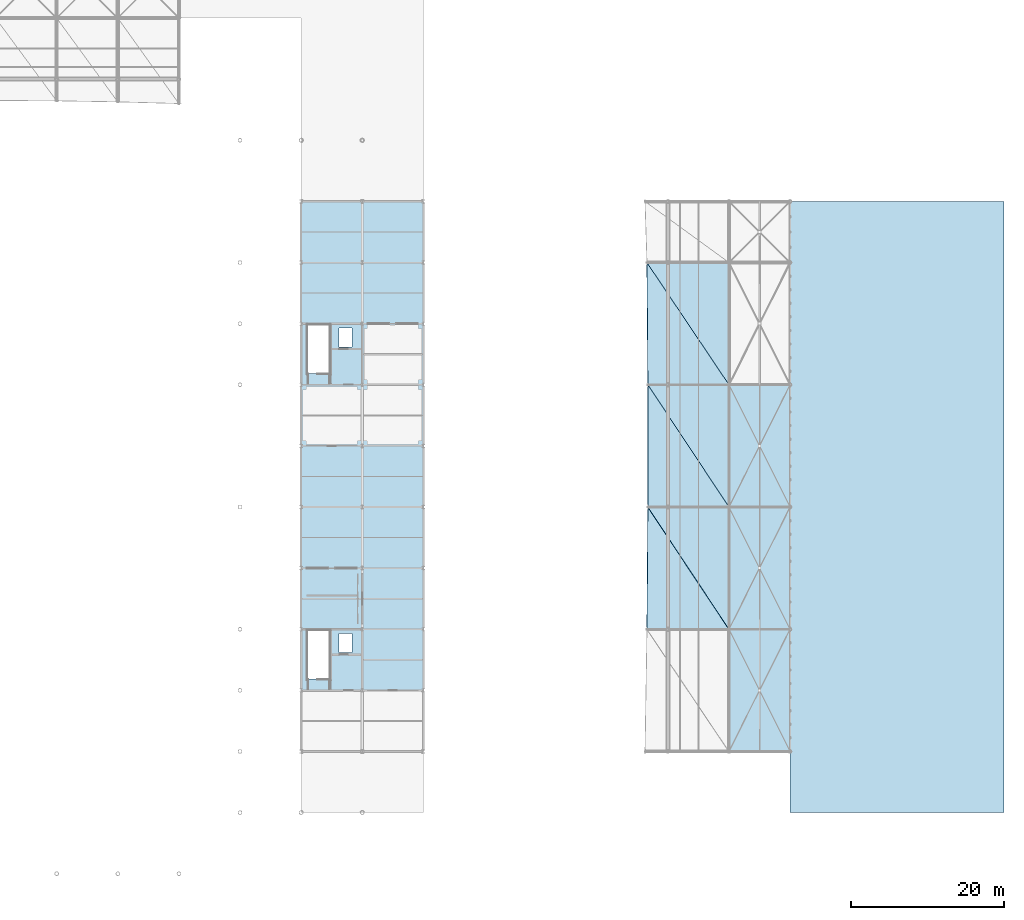
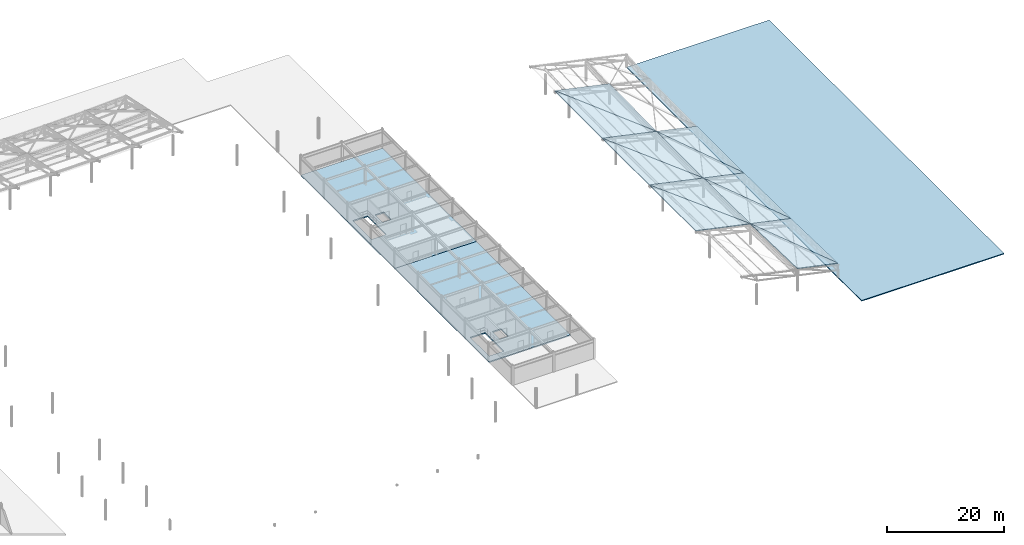
# One storey, part 35 of 54: 15 slabs.
"""IFC4 building model written with IfcOpenShell, lengths in metres."""

import ifcopenshell
import ifcopenshell.guid

model = None  # the IFC model being written
_history = None  # IfcOwnerHistory: only IFC2X3 demands one
_inside = {}  # id of a spatial element -> (the spatial element, [elements in it])
_under = {}  # id of a project, library or spatial element -> (it, [spatial elements below it])
_declared = {}  # id of a project -> (the project, [libraries it declares])
_typed = {}  # id of a type object -> (the type object, [elements of that type])
_made_of = {}  # id of a material, layer set ... -> (it, [elements and type objects made of it])


def new_model(schema):
    """Start an empty IFC model of exactly this schema.

    Asked for "IFC4X3", IfcOpenShell would pick the latest addendum, in which some entities
    have other attributes; the version numbers below select the first issue.
    IFC2X3 requires an IfcOwnerHistory on every rooted entity: one is made here for all.
    """
    global model, _history
    if schema == "IFC4X3":
        model = ifcopenshell.file(schema_version=(4, 3, 0, 0))
    else:
        model = ifcopenshell.file(schema=schema)
    _inside.clear()
    _under.clear()
    _declared.clear()
    _typed.clear()
    _made_of.clear()
    _history = None
    if model.schema == "IFC2X3":
        org = make("IfcOrganization", Name="unknown")
        user = make(
            "IfcPersonAndOrganization",
            ThePerson=make("IfcPerson", FamilyName="unknown"),
            TheOrganization=org,
        )
        app = make(
            "IfcApplication",
            ApplicationDeveloper=org,
            Version="unknown",
            ApplicationFullName="unknown",
            ApplicationIdentifier="unknown",
        )
        _history = make(
            "IfcOwnerHistory",
            OwningUser=user,
            OwningApplication=app,
            ChangeAction="ADDED",
            CreationDate=0,
        )
    return model


def make(cls, **values):
    """One entity of the class cls with the attributes given. An attribute that is None is left unset."""
    return model.create_entity(
        cls, **{name: value for name, value in values.items() if value is not None}
    )


def rooted(cls, **values):
    """An entity with a GlobalId (a new one), such as an element, a storey or a relation."""
    return make(cls, GlobalId=ifcopenshell.guid.new(), OwnerHistory=_history, **values)


def si_unit(unit_type, name, prefix=None):
    """IfcSIUnit, for example si_unit("LENGTHUNIT", "METRE", prefix="MILLI")."""
    return make("IfcSIUnit", UnitType=unit_type, Prefix=prefix, Name=name)


def assignment(units):
    """IfcUnitAssignment: the units of a project."""
    return None if units is None else make("IfcUnitAssignment", Units=units)


def point(xyz):
    """IfcCartesianPoint."""
    return None if xyz is None else make("IfcCartesianPoint", Coordinates=xyz)


def direction(xyz):
    """IfcDirection."""
    return None if xyz is None else make("IfcDirection", DirectionRatios=xyz)


def frame(location, z_axis=None, x_axis=None):
    """IfcAxis2Placement3D, a coordinate frame: its origin and axes. An axis left out is left unset."""
    return make(
        "IfcAxis2Placement3D",
        Location=point(location),
        Axis=direction(z_axis),
        RefDirection=direction(x_axis),
    )


def origin():
    """The frame at (0, 0, 0) with its axes left unset."""
    return frame((0.0, 0.0, 0.0))


def place(relative_to, where):
    """IfcLocalPlacement: puts the frame where relative to a parent placement (None: the world)."""
    return make(
        "IfcLocalPlacement", PlacementRelTo=relative_to, RelativePlacement=where
    )


def context(
    kind, dimensions, precision=None, world=None, true_north=None, identifier=None
):
    """IfcGeometricRepresentationContext, for example the 3D "Model" context."""
    return make(
        "IfcGeometricRepresentationContext",
        ContextIdentifier=identifier,
        ContextType=kind,
        CoordinateSpaceDimension=dimensions,
        Precision=precision,
        WorldCoordinateSystem=world,
        TrueNorth=true_north,
    )


def subcontext(parent, identifier, kind, view, scale=None):
    """IfcGeometricRepresentationSubContext, for example "Body" below "Model"."""
    return make(
        "IfcGeometricRepresentationSubContext",
        ContextIdentifier=identifier,
        ContextType=kind,
        ParentContext=parent,
        TargetScale=scale,
        TargetView=view,
    )


def project(units=None, contexts=None):
    """IfcProject with its units and contexts."""
    return rooted(
        "IfcProject",
        Name="project",
        RepresentationContexts=contexts,
        UnitsInContext=assignment(units),
    )


def spatial(cls, under=None, at=None, **own):
    """A site, building, storey or space (cls), placed at a placement, below another one or the project."""
    s = rooted(cls, ObjectPlacement=at, **own)
    if under is not None:
        _under.setdefault(under.id(), (under, []))[1].append(s)
    return s


def polyline(points):
    """IfcPolyline through the points."""
    return make("IfcPolyline", Points=[point(p) for p in points])


def outline(outer, holes=None, kind="AREA"):
    """IfcArbitraryClosedProfileDef: a profile drawn as a closed curve; with holes, ...WithVoids."""
    if holes is None:
        return make("IfcArbitraryClosedProfileDef", ProfileType=kind, OuterCurve=outer)
    return make(
        "IfcArbitraryProfileDefWithVoids",
        ProfileType=kind,
        OuterCurve=outer,
        InnerCurves=holes,
    )


def extrude(swept, where, along, depth):
    """IfcExtrudedAreaSolid: the profile swept, set in the frame where, extruded along a direction by depth."""
    return make(
        "IfcExtrudedAreaSolid",
        SweptArea=swept,
        Position=where,
        ExtrudedDirection=direction(along),
        Depth=depth,
    )


def shape(context_of_items, identifier, shape_type, items):
    """IfcShapeRepresentation: the items that make up one representation, for example the "Body"."""
    return make(
        "IfcShapeRepresentation",
        ContextOfItems=context_of_items,
        RepresentationIdentifier=identifier,
        RepresentationType=shape_type,
        Items=items,
    )


def material(Name=None, Category=None):
    """IfcMaterial."""
    return make("IfcMaterial", Name=Name, Category=Category)


def layer(
    of_material, thickness, ventilated=None, Name=None, Category=None, Priority=None
):
    """IfcMaterialLayer: one layer of a wall or slab, of a material (None: an air gap)."""
    return make(
        "IfcMaterialLayer",
        Material=of_material,
        LayerThickness=thickness,
        IsVentilated=ventilated,
        Name=Name,
        Category=Category,
        Priority=Priority,
    )


def layer_set(layers, Name=None):
    """IfcMaterialLayerSet."""
    return make("IfcMaterialLayerSet", MaterialLayers=layers, LayerSetName=Name)


def made_of(thing, what):
    """Note that an element or type object is made of a material, layer set ...; save() writes the relation."""
    if what is not None:
        _made_of.setdefault(what.id(), (what, []))[1].append(thing)
    return thing


def type_object(cls, material=None, **own):
    """A type object (cls), such as IfcWallType, which elements share."""
    return made_of(rooted(cls, **own), material)


def element(
    cls,
    number,
    at=None,
    inside=None,
    cuts=None,
    type_object=None,
    material=None,
    context=None,
    identifier="Body",
    shape_type=None,
    held_by="IfcProductDefinitionShape",
    body=None,
    shapes=None,
    **own,
):
    """One element of the class cls, such as IfcWall. Its Tag is "e" and its number.

    at: its placement. inside: the storey or other place that contains it. cuts: it is an
    opening in that element (IfcRelVoidsElement). A single representation is given by context,
    identifier, shape_type and body (its items); several are given by shapes. held_by: the class
    of the entity that holds the representations. save() writes the other relations.
    """
    e = rooted(cls, Tag="e%d" % number, ObjectPlacement=at, **own)
    if body is not None:
        shapes = [shape(context, identifier, shape_type, body)]
    if shapes is not None:
        e.Representation = make(held_by, Representations=shapes)
    if inside is not None:
        _inside.setdefault(inside.id(), (inside, []))[1].append(e)
    if cuts is not None:
        rooted(
            "IfcRelVoidsElement", RelatingBuildingElement=cuts, RelatedOpeningElement=e
        )
    if type_object is not None:
        _typed.setdefault(type_object.id(), (type_object, []))[1].append(e)
    return made_of(e, material)


def aggregate(whole, parts):
    """IfcRelAggregates: a whole, such as a stair, and the parts it consists of."""
    return rooted("IfcRelAggregates", RelatingObject=whole, RelatedObjects=parts)


def save(model, path):
    """Write the relations noted so far, then the file.

    IfcRelAggregates (storeys below a building ...), IfcRelContainedInSpatialStructure (elements
    in a storey), IfcRelDefinesByType, IfcRelAssociatesMaterial and IfcRelDeclares: one each for
    every whole, place, type object, material and project.
    """
    for whole, parts in _under.values():
        aggregate(whole, parts)
    for where, things in _inside.values():
        rooted(
            "IfcRelContainedInSpatialStructure",
            RelatedElements=things,
            RelatingStructure=where,
        )
    for kind, things in _typed.values():
        rooted("IfcRelDefinesByType", RelatedObjects=things, RelatingType=kind)
    for what, things in _made_of.values():
        rooted("IfcRelAssociatesMaterial", RelatedObjects=things, RelatingMaterial=what)
    for by, libraries in _declared.values():
        rooted("IfcRelDeclares", RelatingContext=by, RelatedDefinitions=libraries)
    model.write(path)


model = new_model("IFC4")

# Units and contexts
model_context = context("Model", 3, precision=1e-05, world=origin(), true_north=direction((0.0, 1.0)))
body_context = subcontext(model_context, "Body", "Model", "MODEL_VIEW")
ifc_project = project(units=[si_unit("LENGTHUNIT", "METRE"), si_unit("AREAUNIT", "SQUARE_METRE"), si_unit("VOLUMEUNIT", "CUBIC_METRE"), si_unit("PLANEANGLEUNIT", "RADIAN"), si_unit("MASSUNIT", "GRAM", prefix="KILO")], contexts=[model_context])

# Site, building, storey
site_placement = place(None, origin())
site = spatial("IfcSite", under=ifc_project, at=site_placement, CompositionType="ELEMENT")
building_placement = place(site_placement, origin())
building = spatial("IfcBuilding", under=site, at=building_placement, Name="Haebicheon Civic Stadium", CompositionType="ELEMENT")
storey_placement = place(building_placement, frame((0.0, 0.0, 22.800048828125)))
storey = spatial("IfcBuildingStorey", under=building, at=storey_placement, Name="L06", CompositionType="ELEMENT", Elevation=22.800048828125)

# Slabs
ifc_material_1 = material(Name="White painted steel SM490", Category="steel")
ifc_layer_1 = layer(ifc_material_1, 0.159912109375, Name="White painted steel SM490")
ifc_layer_set_1 = layer_set([ifc_layer_1], Name="White painted steel SM490")
slab_type_1 = type_object("IfcSlabType", Name="SLB-CAN-160", PredefinedType="ROOF", material=ifc_layer_set_1)
slab_1_placement = place(storey_placement, frame((208.0, 56.0, 2.93994140625), z_axis=(0.210123484162, 0.025769579889, 0.977335178), x_axis=(-0.977659849808, 0.0, 0.210193287411)))
element("IfcSlab", 1, at=slab_1_placement, inside=storey, type_object=slab_type_1, material=ifc_layer_set_1, Name="CAN-COMM curled canopy facet 1.BS-A", PredefinedType="ROOF", context=body_context, shape_type="SweptSolid", body=[
    extrude(outline(polyline([(0.0, 0.0), (8.182805094807545, 6.938893903907228e-18), (8.094129801680827, -16.005315217389935), (0.0, 0.0)])), origin(), (0.0, 0.0, -1.0), 0.159912109375),
])
slab_2_placement = place(storey_placement, frame((208.0, 56.0, 2.93994140625), z_axis=(0.210123484162, 0.025769579889, 0.977335178), x_axis=(-0.446040759206, 0.892081518412, 0.072375449118)))
element("IfcSlab", 2, at=slab_2_placement, inside=storey, type_object=slab_type_1, material=ifc_layer_set_1, Name="CAN-COMM curled canopy facet 1.BS-B", PredefinedType="ROOF", context=body_context, shape_type="SweptSolid", body=[
    extrude(outline(polyline([(0.0, 0.0), (17.93558062774862, 1.6653345369377348e-16), (14.242770901992818, -7.3021541718161265), (0.0, 0.0)])), origin(), (0.0, 0.0, -1.0), 0.159912109375),
])
slab_3_placement = place(storey_placement, frame((208.0, 72.0, 2.51806640625), z_axis=(0.210175627466, 0.012962570636, 0.977577709127), x_axis=(-0.977659849808, 0.0, 0.210193287411)))
element("IfcSlab", 3, at=slab_3_placement, inside=storey, type_object=slab_type_1, material=ifc_layer_set_1, Name="CAN-COMM curled canopy facet 2.BS-A", PredefinedType="ROOF", context=body_context, shape_type="SweptSolid", body=[
    extrude(outline(polyline([(0.0, 0.0), (8.182805094807545, 3.469446951953614e-18), (8.138210864641389, -16.001344395324697), (0.0, 0.0)])), origin(), (0.0, 0.0, -1.0), 0.159912109375),
])
slab_4_placement = place(storey_placement, frame((208.0, 72.0, 2.51806640625), z_axis=(0.210175627466, 0.012962570636, 0.977577709127), x_axis=(-0.445633355463, 0.891266710927, 0.083991442973)))
element("IfcSlab", 4, at=slab_4_placement, inside=storey, type_object=slab_type_1, material=ifc_layer_set_1, Name="CAN-COMM curled canopy facet 2.BS-B", PredefinedType="ROOF", context=body_context, shape_type="SweptSolid", body=[
    extrude(outline(polyline([(0.0, 0.0), (17.951977566138954, -6.106226635438361e-16), (14.24244790120587, -7.29367458038743), (0.0, 0.0)])), origin(), (0.0, 0.0, -1.0), 0.159912109375),
])
slab_5_placement = place(storey_placement, frame((200.0, 72.0, 4.238037109375), z_axis=(0.210168271968, 0.012982666106, 0.977579023833), x_axis=(-0.977661419535, 0.0, 0.210185986098)))
element("IfcSlab", 5, at=slab_5_placement, inside=storey, type_object=slab_type_1, material=ifc_layer_set_1, Name="CAN-COMM curled canopy facet 2.CT-A", PredefinedType="ROOF", context=body_context, shape_type="SweptSolid", body=[
    extrude(outline(polyline([(0.0, 0.0), (10.989383716789156, 3.469446951953614e-18), (10.813869212841139, -16.001348567431535), (0.0, 0.0)])), origin(), (0.0, 0.0, -1.0), 0.159912109375),
])
slab_6_placement = place(storey_placement, frame((200.0, 72.0, 4.238037109375), z_axis=(0.210139402183, 0.012962673881, 0.977585495359), x_axis=(-0.549686507874, 0.828467561577, 0.107173888963)))
element("IfcSlab", 6, at=slab_6_placement, inside=storey, type_object=slab_type_1, material=ifc_layer_set_1, Name="CAN-COMM curled canopy facet 2.CT-B", PredefinedType="ROOF", context=body_context, shape_type="SweptSolid", body=[
    extrude(outline(polyline([(0.0, 0.0), (19.312765812510555, 6.106226635438361e-16), (13.23274316552922, -8.996639340236609), (0.0, 0.0)])), origin(), (0.0, 0.0, -1.0), 0.159912109375),
])
slab_7_placement = place(storey_placement, frame((208.0, 88.0, 2.305908203125), z_axis=(0.210193287411, 0.0, 0.977659849808), x_axis=(-0.977659849808, 0.0, 0.210193287411)))
element("IfcSlab", 7, at=slab_7_placement, inside=storey, type_object=slab_type_1, material=ifc_layer_set_1, Name="CAN-COMM curled canopy facet 3.BS-A", PredefinedType="ROOF", context=body_context, shape_type="SweptSolid", body=[
    extrude(outline(polyline([(0.0, 0.0), (8.182805094807545, 0.0), (8.182805094807545, -16.0), (0.0, 0.0)])), origin(), (0.0, 0.0, -1.0), 0.159912109375),
])
slab_8_placement = place(storey_placement, frame((208.0, 88.0, 2.305908203125), z_axis=(0.210193287411, 0.0, 0.977659849808), x_axis=(-0.445160644327, 0.890321288654, 0.095707908303)))
element("IfcSlab", 8, at=slab_8_placement, inside=storey, type_object=slab_type_1, material=ifc_layer_set_1, Name="CAN-COMM curled canopy facet 3.BS-B", PredefinedType="ROOF", context=body_context, shape_type="SweptSolid", body=[
    extrude(outline(polyline([(0.0, 0.0), (17.97104057141957, 5.551115123125783e-17), (14.245140618464365, -7.285325576813756), (0.0, 0.0)])), origin(), (0.0, 0.0, -1.0), 0.159912109375),
])
slab_9_placement = place(storey_placement, frame((200.0, 88.0, 4.02587890625), z_axis=(0.210157059366, 0.0, 0.977667638003), x_axis=(-0.977667638003, 0.0, 0.210157059366)))
element("IfcSlab", 9, at=slab_9_placement, inside=storey, type_object=slab_type_1, material=ifc_layer_set_1, Name="CAN-COMM curled canopy facet 3.CT-A", PredefinedType="ROOF", context=body_context, shape_type="SweptSolid", body=[
    extrude(outline(polyline([(0.0, 0.0), (10.858461898726677, 0.0), (10.858461898726677, -16.0), (0.0, 0.0)])), origin(), (0.0, 0.0, -1.0), 0.159912109375),
])
slab_10_placement = place(storey_placement, frame((200.0, 88.0, 4.02587890625), z_axis=(0.210157059366, 0.0, 0.977667638003), x_axis=(-0.549007429055, 0.827444078617, 0.118013302656)))
element("IfcSlab", 10, at=slab_10_placement, inside=storey, type_object=slab_type_1, material=ifc_layer_set_1, Name="CAN-COMM curled canopy facet 3.CT-B", PredefinedType="ROOF", context=body_context, shape_type="SweptSolid", body=[
    extrude(outline(polyline([(0.0, 0.0), (19.336654178168956, 5.551115123125783e-16), (13.239105257879798, -8.984770000994986), (0.0, 0.0)])), origin(), (0.0, 0.0, -1.0), 0.159912109375),
])
slab_11_placement = place(storey_placement, frame((200.0, 104.0, 4.02587890625), z_axis=(0.210139346788, -0.012982990584, 0.977585237658), x_axis=(-0.977667638003, 0.0, 0.210157059366)))
element("IfcSlab", 11, at=slab_11_placement, inside=storey, type_object=slab_type_1, material=ifc_layer_set_1, Name="CAN-COMM curled canopy facet 4.CT-A", PredefinedType="ROOF", context=body_context, shape_type="SweptSolid", body=[
    extrude(outline(polyline([(0.0, 0.0), (10.858461898726677, 0.0), (11.033970256068105, -16.001348634850835), (0.0, 0.0)])), origin(), (0.0, 0.0, -1.0), 0.159912109375),
])
slab_12_placement = place(storey_placement, frame((200.0, 104.0, 4.02587890625), z_axis=(0.210168326709, -0.012962591446, 0.977579278458), x_axis=(-0.552758759409, 0.823178086592, 0.129752039101)))
element("IfcSlab", 12, at=slab_12_placement, inside=storey, type_object=slab_type_1, material=ifc_layer_set_1, Name="CAN-COMM curled canopy facet 4.CT-B", PredefinedType="ROOF", context=body_context, shape_type="SweptSolid", body=[
    extrude(outline(polyline([(0.0, 0.0), (19.436863372104, -7.771561172376096e-16), (13.198377344940454, -9.0469799692337), (0.0, 0.0)])), origin(), (0.0, 0.0, -1.0), 0.159912109375),
])
ifc_material_2 = material(Name="Concrete C35/45", Category="concrete")
ifc_layer_2 = layer(ifc_material_2, 0.25, Name="Concrete C35/45")
ifc_layer_set_2 = layer_set([ifc_layer_2], Name="Concrete C35/45")
slab_type_2 = type_object("IfcSlabType", Name="SLB-FLR-250", PredefinedType="FLOOR", material=ifc_layer_set_2)
slab_13_placement = place(storey_placement, frame((0.0, 0.0, -0.25)))
element("IfcSlab", 13, at=slab_13_placement, inside=storey, type_object=slab_type_2, material=ifc_layer_set_2, Name="L06 V2 structural slab 2.1", PredefinedType="FLOOR", context=body_context, shape_type="SweptSolid", body=[
    extrude(outline(polyline([(144.0, 80.0), (144.0, 88.0), (144.0, 96.0), (152.0, 96.0), (160.0, 96.0), (160.0, 88.0), (160.0, 80.0), (160.0, 72.0), (160.0, 64.0), (152.0, 64.0), (144.0, 64.0), (144.0, 72.0), (144.0, 80.0)]), holes=[polyline([(144.840087890625, 65.4599609375), (147.739990234375, 65.4599609375), (147.739990234375, 71.840087890625), (144.840087890625, 71.840087890625), (144.840087890625, 65.4599609375)]), polyline([(148.969970703125, 68.929931640625), (150.669921875, 68.929931640625), (150.669921875, 71.429931640625), (148.969970703125, 71.429931640625), (148.969970703125, 68.929931640625)])]), origin(), (0.0, 0.0, 1.0), 0.25),
])
slab_14_placement = place(storey_placement, frame((0.0, 0.0, -0.25)))
element("IfcSlab", 14, at=slab_14_placement, inside=storey, type_object=slab_type_2, material=ifc_layer_set_2, Name="L06 V2 structural slab 3.1", PredefinedType="FLOOR", context=body_context, shape_type="SweptSolid", body=[
    extrude(outline(polyline([(144.0, 112.0), (144.0, 120.0), (144.0, 128.0), (152.0, 128.0), (160.0, 128.0), (160.0, 120.0), (160.0, 112.0), (160.0, 104.0), (160.0, 96.0), (152.0, 96.0), (144.0, 96.0), (144.0, 104.0), (144.0, 112.0)]), holes=[polyline([(144.840087890625, 105.4599609375), (147.739990234375, 105.4599609375), (147.739990234375, 111.840087890625), (144.840087890625, 111.840087890625), (144.840087890625, 105.4599609375)]), polyline([(148.969970703125, 108.929931640625), (150.669921875, 108.929931640625), (150.669921875, 111.429931640625), (148.969970703125, 111.429931640625), (148.969970703125, 108.929931640625)])]), origin(), (0.0, 0.0, 1.0), 0.25),
])
ifc_material_3 = material(Name="Concrete C40/50", Category="concrete")
ifc_layer_3 = layer(ifc_material_3, 0.18994140625, Name="Concrete C40/50")
ifc_layer_set_3 = layer_set([ifc_layer_3], Name="Concrete C40/50")
slab_type_3 = type_object("IfcSlabType", Name="SLB-ROOF-190", PredefinedType="ROOF", material=ifc_layer_set_3)
slab_15_placement = place(storey_placement, frame((0.0, 0.0, -0.18994140625)))
element("IfcSlab", 15, at=slab_15_placement, inside=storey, type_object=slab_type_3, material=ifc_layer_set_3, Name="L06 V3 roof deck slab 1", PredefinedType="ROOF", context=body_context, shape_type="SweptSolid", body=[
    extrude(outline(polyline([(208.0, 48.0), (208.0, 128.0), (236.0, 128.0), (236.0, 48.0), (208.0, 48.0)])), origin(), (0.0, 0.0, 1.0), 0.18994140625),
])

save(model, "model.ifc")
